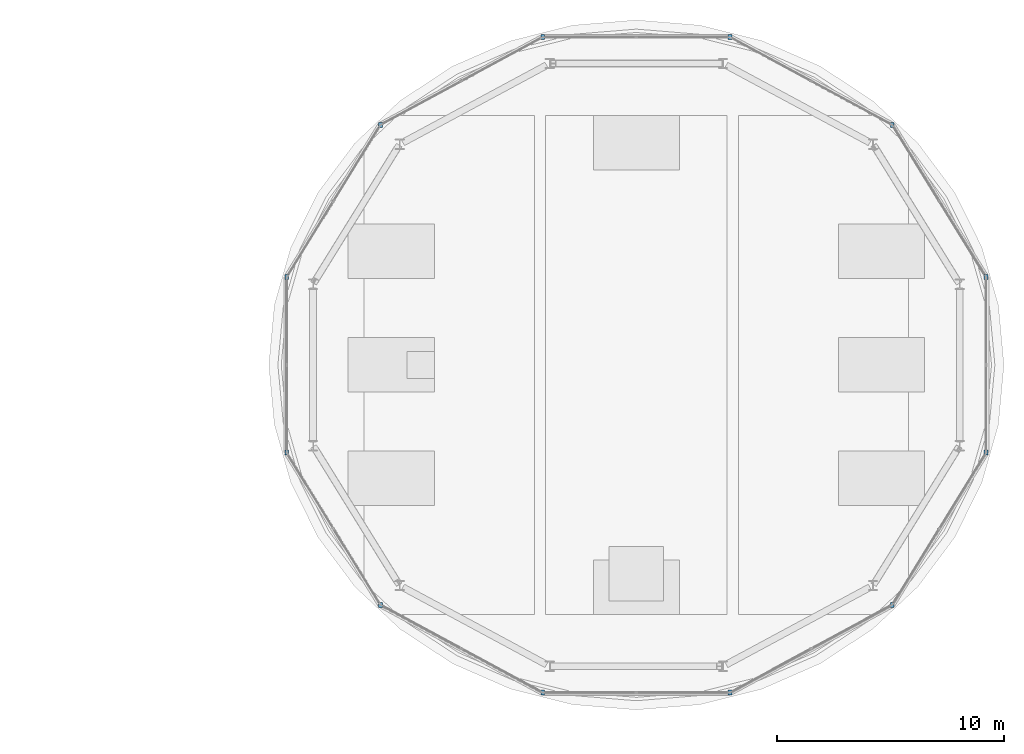
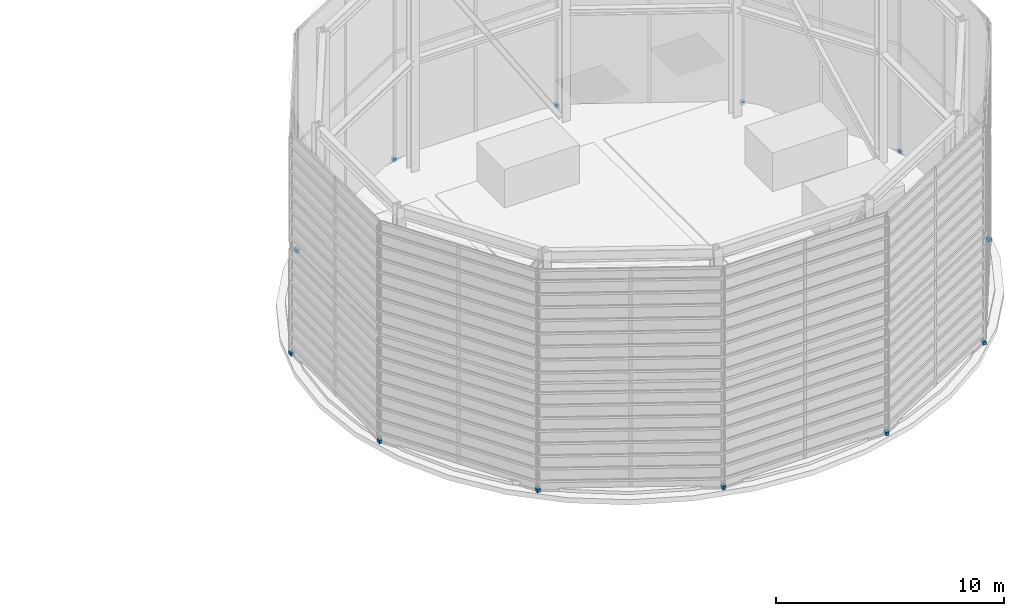
# One storey, part 14 of 17: 12 discrete accessories.
"""IFC4 building model written with IfcOpenShell, lengths in metres."""

from ifc_helpers import new_model, si_unit, direction, frame, origin, origin_2d, place, context, subcontext, project, spatial, rectangle, extrude, source, transform, mapped, material, type_object, type_shapes, element, save


model = new_model("IFC4")

# Units and contexts
model_context = context("Model", 3, precision=1e-05, world=origin(), true_north=direction((0.0, 1.0)))
body_context = subcontext(model_context, "Body", "Model", "MODEL_VIEW")
ifc_project = project(units=[si_unit("LENGTHUNIT", "METRE"), si_unit("AREAUNIT", "SQUARE_METRE"), si_unit("VOLUMEUNIT", "CUBIC_METRE"), si_unit("PLANEANGLEUNIT", "RADIAN"), si_unit("MASSUNIT", "GRAM", prefix="KILO")], contexts=[model_context])

# Site, building, storey
site_placement = place(None, origin())
site = spatial("IfcSite", under=ifc_project, at=site_placement, CompositionType="ELEMENT")
building_placement = place(site_placement, origin())
building = spatial("IfcBuilding", under=site, at=building_placement, Name="Norrkilde Senior Care Towers", CompositionType="ELEMENT")
storey_placement = place(building_placement, frame((0.0, 0.0, 249.85009765625)))
storey = spatial("IfcBuildingStorey", under=building, at=storey_placement, Name="RF", CompositionType="ELEMENT", Elevation=249.85009765625)

# Discrete accessories
ifc_material = material(Name="Steel S355", Category="steel")
discrete_accessory_type = type_object("IfcDiscreteAccessoryType", Name="Facade Support Bracket", PredefinedType="BRACKET", material=ifc_material)
shared_shape = source(origin(), body_context, "Body", "SweptSolid", [
    extrude(rectangle(XDim=0.159912109375, YDim=0.219970703125, at=origin_2d()), origin(), (0.0, 0.0, 1.0), 0.179931640625),
])
type_shapes(discrete_accessory_type, [shared_shape])
for number, where, z_axis, x_axis, name in (
    (1, (43.406494140625, 3.869384765625, 0.0), (0.0, 0.0, 1.0), (1.0, 0.0, 0.0), "RF Crown Screen Support Bracket E-00"),
    (2, (39.2783203125, 10.5712890625, 0.0), (0.0, 0.0, 1.0), (1.0, 0.0, 0.0), "RF Crown Screen Support Bracket E-01"),
    (3, (32.128173828125, 14.440673828125, 0.0), (0.0, 0.0, 1.0), (1.0, 0.0, 0.0), "RF Crown Screen Support Bracket E-02"),
    (4, (23.871826171875, 14.440673828125, 0.0), (0.0, 0.0, 1.0), (1.0, 0.0, 0.0), "RF Crown Screen Support Bracket E-03"),
    (5, (16.7216796875, 10.5712890625, 0.0), (0.0, 0.0, 1.0), (1.0, 0.0, 0.0), "RF Crown Screen Support Bracket E-04"),
    (6, (12.593505859375, 3.869384765625, 0.0), (0.0, 0.0, 1.0), (1.0, 0.0, 0.0), "RF Crown Screen Support Bracket E-05"),
    (7, (12.593505859375, -3.869384765625, 0.0), (0.0, 0.0, 1.0), (1.0, 0.0, 0.0), "RF Crown Screen Support Bracket E-06"),
    (8, (16.7216796875, -10.5712890625, 0.0), (0.0, 0.0, 1.0), (1.0, 0.0, 0.0), "RF Crown Screen Support Bracket E-07"),
    (9, (23.871826171875, -14.440673828125, 0.0), (0.0, 0.0, 1.0), (1.0, 0.0, 0.0), "RF Crown Screen Support Bracket E-08"),
    (10, (32.128173828125, -14.440673828125, 0.0), (0.0, 0.0, 1.0), (1.0, 0.0, 0.0), "RF Crown Screen Support Bracket E-09"),
    (11, (39.2783203125, -10.5712890625, 0.0), (0.0, 0.0, 1.0), (1.0, 0.0, 0.0), "RF Crown Screen Support Bracket E-10"),
    (12, (43.406494140625, -3.869384765625, 0.0), (0.0, 0.0, 1.0), (1.0, 0.0, 0.0), "RF Crown Screen Support Bracket E-11"),
):
    element("IfcDiscreteAccessory", number, at=place(storey_placement, frame(where, z_axis=z_axis, x_axis=x_axis)), inside=storey, type_object=discrete_accessory_type, Name=name, PredefinedType="BRACKET", context=body_context, shape_type="MappedRepresentation", body=[
        mapped(shared_shape, transform((0.0, 0.0, 0.0), x_axis=(1.0, 0.0, 0.0), y_axis=(0.0, 1.0, 0.0), z_axis=(0.0, 0.0, 1.0), scale=1.0)),
    ])

save(model, "model.ifc")
